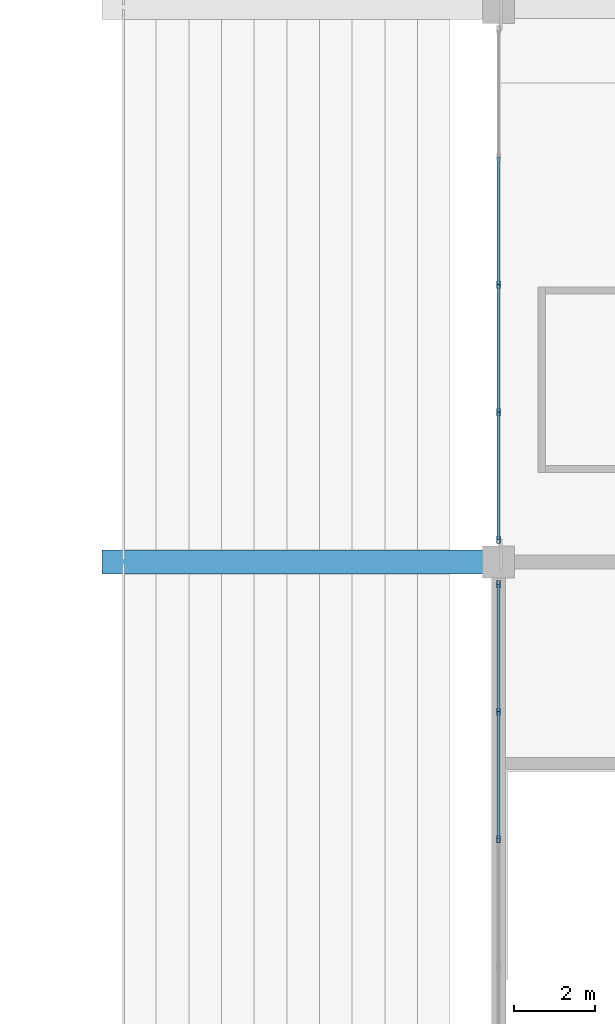
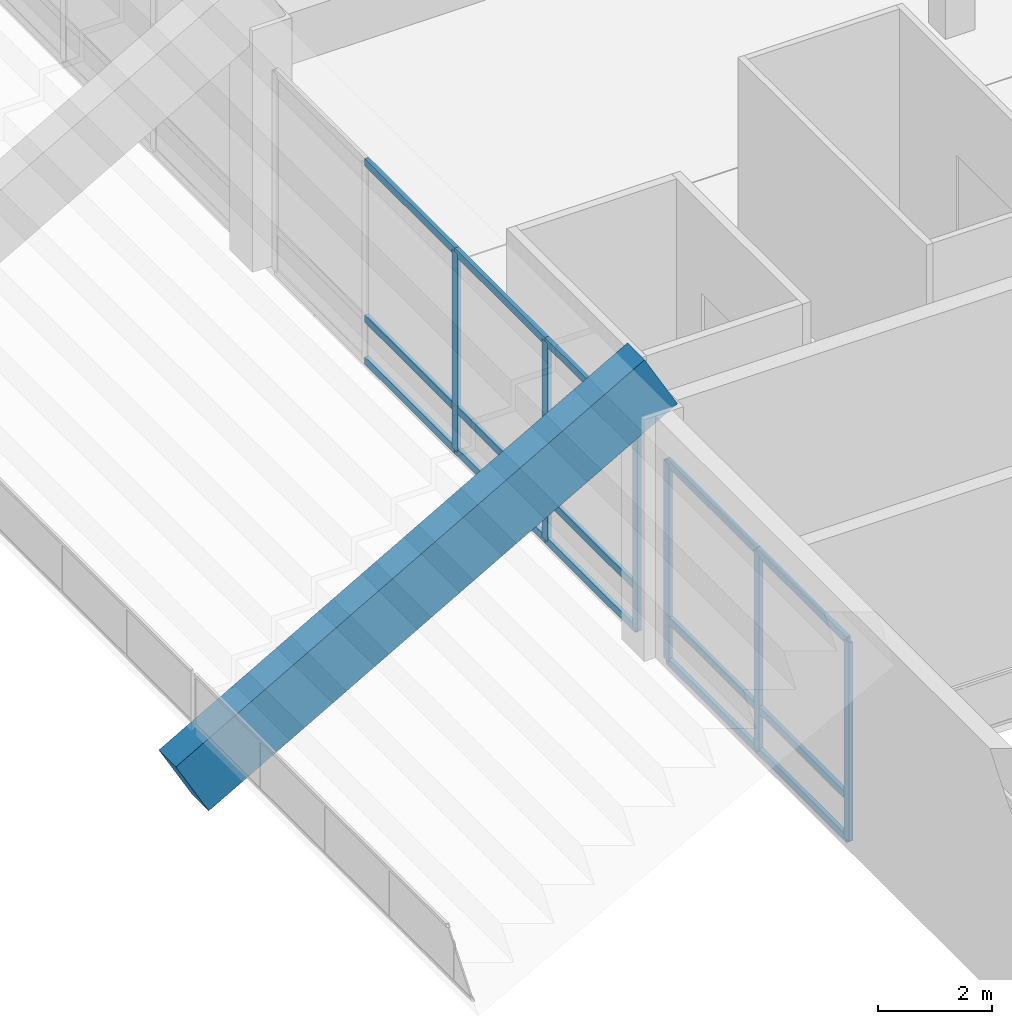
# One storey, part 35 of 90: 21 members, 1 beam, 2 elements without a shape of their own.
"""IFC4 building model written with IfcOpenShell, lengths in metres."""

from ifc_helpers import new_model, si_unit, direction, frame, origin, origin_2d, place, context, subcontext, project, spatial, rectangle, hollow_rectangle, extrude, material, material_profile, profile_set, type_object, element, aggregate, save


model = new_model("IFC4")

# Units and contexts
model_context = context("Model", 3, precision=1e-05, world=origin(), true_north=direction((0.0, 1.0)))
body_context = subcontext(model_context, "Body", "Model", "MODEL_VIEW")
ifc_project = project(units=[si_unit("LENGTHUNIT", "METRE"), si_unit("AREAUNIT", "SQUARE_METRE"), si_unit("VOLUMEUNIT", "CUBIC_METRE"), si_unit("PLANEANGLEUNIT", "RADIAN"), si_unit("MASSUNIT", "GRAM", prefix="KILO")], contexts=[model_context])

# Site, building, storey
site_placement = place(None, origin())
site = spatial("IfcSite", under=ifc_project, at=site_placement, CompositionType="ELEMENT")
building_placement = place(site_placement, origin())
building = spatial("IfcBuilding", under=site, at=building_placement, Name="Linyun Crest Stadium", CompositionType="ELEMENT")
storey_placement = place(building_placement, frame((0.0, 0.0, 21.0)))
storey = spatial("IfcBuildingStorey", under=building, at=storey_placement, Name="L05", CompositionType="ELEMENT", Elevation=21.0)

# Curtain wall, members
ifc_material_1 = material(Name="Verdigris steel and low-E curtain wall assembly", Category="steel")
curtain_wall_type = type_object("IfcCurtainWallType", Name="MCW01", PredefinedType="NOTDEFINED", material=ifc_material_1)
curtain_wall_1_placement = place(storey_placement, origin())
curtain_wall_1 = element("IfcCurtainWall", 1, at=curtain_wall_1_placement, inside=storey, type_object=curtain_wall_type, Name="CWR-081", PredefinedType="NOTDEFINED")
ifc_material_2 = material(Name="Verdigris painted steel Q355B mullion", Category="steel")
ifc_material_profile_1 = material_profile(ifc_material_2, hollow_rectangle(XDim=0.080078125, YDim=0.179931640625, WallThickness=0.006103515625, at=origin_2d()), Name="RHS 180x80x6")
ifc_profile_set_1 = profile_set([ifc_material_profile_1], Name="Verdigris painted steel Q355B mullion")
member_type_1 = type_object("IfcMemberType", Name="ML02", PredefinedType="MULLION", material=ifc_profile_set_1)
member_1_placement = place(storey_placement, frame((70.0, -32.25, 0.0), z_axis=(0.0, 0.0, 1.0), x_axis=(-1.0, 0.0, 0.0)))
member_1 = element("IfcMember", 2, at=member_1_placement, type_object=member_type_1, Name="CWR-081 mullion 3", PredefinedType="MULLION", context=body_context, shape_type="SweptSolid", body=[
    extrude(hollow_rectangle(XDim=0.080078125, YDim=0.179931640625, WallThickness=0.006103515625, at=origin_2d()), origin(), (0.0, 0.0, 1.0), 4.25),
])
member_2_placement = place(storey_placement, frame((70.0, -29.087890625, 0.0), z_axis=(0.0, 0.0, 1.0), x_axis=(-1.0, 0.0, 0.0)))
member_2 = element("IfcMember", 3, at=member_2_placement, type_object=member_type_1, Name="CWR-081 mullion 4", PredefinedType="MULLION", context=body_context, shape_type="SweptSolid", body=[
    extrude(hollow_rectangle(XDim=0.080078125, YDim=0.179931640625, WallThickness=0.006103515625, at=origin_2d()), origin(), (0.0, 0.0, 1.0), 4.25),
])
member_3_placement = place(storey_placement, frame((70.0, -25.925048828125, 0.0), z_axis=(0.0, 0.0, 1.0), x_axis=(-1.0, 0.0, 0.0)))
member_3 = element("IfcMember", 4, at=member_3_placement, type_object=member_type_1, Name="CWR-081 mullion 5", PredefinedType="MULLION", context=body_context, shape_type="SweptSolid", body=[
    extrude(hollow_rectangle(XDim=0.080078125, YDim=0.179931640625, WallThickness=0.006103515625, at=origin_2d()), origin(), (0.0, 0.0, 1.0), 4.25),
])

curtain_wall_2_placement = place(storey_placement, origin())
curtain_wall_2 = element("IfcCurtainWall", 5, at=curtain_wall_2_placement, inside=storey, type_object=curtain_wall_type, Name="CWR-090", PredefinedType="NOTDEFINED")
member_4_placement = place(storey_placement, frame((70.0, -24.824951171875, 0.0), z_axis=(0.0, 0.0, 1.0), x_axis=(-1.0, 0.0, 0.0)))
member_4 = element("IfcMember", 6, at=member_4_placement, type_object=member_type_1, Name="CWR-090 mullion 1", PredefinedType="MULLION", context=body_context, shape_type="SweptSolid", body=[
    extrude(hollow_rectangle(XDim=0.080078125, YDim=0.179931640625, WallThickness=0.006103515625, at=origin_2d()), origin(), (0.0, 0.0, 1.0), 4.25),
])
member_5_placement = place(storey_placement, frame((70.0, -21.662109375, 0.0), z_axis=(0.0, 0.0, 1.0), x_axis=(-1.0, 0.0, 0.0)))
member_5 = element("IfcMember", 7, at=member_5_placement, type_object=member_type_1, Name="CWR-090 mullion 2", PredefinedType="MULLION", context=body_context, shape_type="SweptSolid", body=[
    extrude(hollow_rectangle(XDim=0.080078125, YDim=0.179931640625, WallThickness=0.006103515625, at=origin_2d()), origin(), (0.0, 0.0, 1.0), 4.25),
])
member_6_placement = place(storey_placement, frame((70.0, -18.5, 0.0), z_axis=(0.0, 0.0, 1.0), x_axis=(-1.0, 0.0, 0.0)))
member_6 = element("IfcMember", 8, at=member_6_placement, type_object=member_type_1, Name="CWR-090 mullion 3", PredefinedType="MULLION", context=body_context, shape_type="SweptSolid", body=[
    extrude(hollow_rectangle(XDim=0.080078125, YDim=0.179931640625, WallThickness=0.006103515625, at=origin_2d()), origin(), (0.0, 0.0, 1.0), 4.25),
])

# Beam
ifc_material_3 = material(Name="Precast concrete C50", Category="concrete")
ifc_material_profile_2 = material_profile(ifc_material_3, rectangle(XDim=0.60009765625, YDim=1.35009765625, at=origin_2d()), Name="PCR 1350x600")
ifc_profile_set_2 = profile_set([ifc_material_profile_2], Name="Precast concrete C50")
beam_type = type_object("IfcBeamType", Name="RB03", PredefinedType="USERDEFINED", material=ifc_profile_set_2)
beam_placement = place(storey_placement, frame((60.5, -25.375, 0.39990234375), z_axis=(0.869361451527, 0.0, 0.494176756433), x_axis=(0.0, 1.0, 0.0)))
element("IfcBeam", 9, at=beam_placement, inside=storey, type_object=beam_type, Name="Precast raker beam RB03 V2 24", ObjectType="RAKER", PredefinedType="USERDEFINED", context=body_context, shape_type="SweptSolid", body=[
    extrude(rectangle(XDim=0.60009765625, YDim=1.35009765625, at=origin_2d()), origin(), (0.0, 0.0, 1.0), 10.927490234375),
])

# Member
ifc_material_4 = material(Name="Aluminium thermally broken transom", Category="aluminium")
ifc_material_profile_3 = material_profile(ifc_material_4, hollow_rectangle(XDim=0.080078125, YDim=0.159912109375, WallThickness=0.006103515625, at=origin_2d()), Name="RHS 160x80x6")
ifc_profile_set_3 = profile_set([ifc_material_profile_3], Name="Aluminium thermally broken transom")
member_type_2 = type_object("IfcMemberType", Name="TR01", PredefinedType="USERDEFINED", material=ifc_profile_set_3)
member_7_placement = place(storey_placement, frame((70.0, -32.25, 0.0), z_axis=(0.0, 1.0, 0.0), x_axis=(-1.0, 0.0, 0.0)))
member_7 = element("IfcMember", 10, at=member_7_placement, type_object=member_type_2, Name="CWR-081 transom 3.1", ObjectType="TRANSOM", PredefinedType="USERDEFINED", context=body_context, shape_type="SweptSolid", body=[
    extrude(hollow_rectangle(XDim=0.080078125, YDim=0.159912109375, WallThickness=0.006103515625, at=origin_2d()), origin(), (0.0, 0.0, 1.0), 3.162109375),
])

member_8_placement = place(storey_placement, frame((70.0, -32.25, 0.89990234375), z_axis=(0.0, 1.0, 0.0), x_axis=(-1.0, 0.0, 0.0)))
member_8 = element("IfcMember", 11, at=member_8_placement, type_object=member_type_2, Name="CWR-081 transom 3.2", ObjectType="TRANSOM", PredefinedType="USERDEFINED", context=body_context, shape_type="SweptSolid", body=[
    extrude(hollow_rectangle(XDim=0.080078125, YDim=0.159912109375, WallThickness=0.006103515625, at=origin_2d()), origin(), (0.0, 0.0, 1.0), 3.162109375),
])

member_9_placement = place(storey_placement, frame((70.0, -32.25, 4.25), z_axis=(0.0, 1.0, 0.0), x_axis=(-1.0, 0.0, 0.0)))
member_9 = element("IfcMember", 12, at=member_9_placement, type_object=member_type_2, Name="CWR-081 transom 3.3", ObjectType="TRANSOM", PredefinedType="USERDEFINED", context=body_context, shape_type="SweptSolid", body=[
    extrude(hollow_rectangle(XDim=0.080078125, YDim=0.159912109375, WallThickness=0.006103515625, at=origin_2d()), origin(), (0.0, 0.0, 1.0), 3.162109375),
])

member_10_placement = place(storey_placement, frame((70.0, -29.087890625, 0.0), z_axis=(0.0, 1.0, 0.0), x_axis=(-1.0, 0.0, 0.0)))
member_10 = element("IfcMember", 13, at=member_10_placement, type_object=member_type_2, Name="CWR-081 transom 4.1", ObjectType="TRANSOM", PredefinedType="USERDEFINED", context=body_context, shape_type="SweptSolid", body=[
    extrude(hollow_rectangle(XDim=0.080078125, YDim=0.159912109375, WallThickness=0.006103515625, at=origin_2d()), origin(), (0.0, 0.0, 1.0), 3.162841796875),
])

member_11_placement = place(storey_placement, frame((70.0, -29.087890625, 0.89990234375), z_axis=(0.0, 1.0, 0.0), x_axis=(-1.0, 0.0, 0.0)))
member_11 = element("IfcMember", 14, at=member_11_placement, type_object=member_type_2, Name="CWR-081 transom 4.2", ObjectType="TRANSOM", PredefinedType="USERDEFINED", context=body_context, shape_type="SweptSolid", body=[
    extrude(hollow_rectangle(XDim=0.080078125, YDim=0.159912109375, WallThickness=0.006103515625, at=origin_2d()), origin(), (0.0, 0.0, 1.0), 3.162841796875),
])

member_12_placement = place(storey_placement, frame((70.0, -29.087890625, 4.25), z_axis=(0.0, 1.0, 0.0), x_axis=(-1.0, 0.0, 0.0)))
member_12 = element("IfcMember", 15, at=member_12_placement, type_object=member_type_2, Name="CWR-081 transom 4.3", ObjectType="TRANSOM", PredefinedType="USERDEFINED", context=body_context, shape_type="SweptSolid", body=[
    extrude(hollow_rectangle(XDim=0.080078125, YDim=0.159912109375, WallThickness=0.006103515625, at=origin_2d()), origin(), (0.0, 0.0, 1.0), 3.162841796875),
])

aggregate(curtain_wall_1, [member_1, member_2, member_3, member_7, member_8, member_9, member_10, member_11, member_12])

member_13_placement = place(storey_placement, frame((70.0, -24.824951171875, 0.0), z_axis=(0.0, 1.0, 0.0), x_axis=(-1.0, 0.0, 0.0)))
member_13 = element("IfcMember", 16, at=member_13_placement, type_object=member_type_2, Name="CWR-090 transom 1.1", ObjectType="TRANSOM", PredefinedType="USERDEFINED", context=body_context, shape_type="SweptSolid", body=[
    extrude(hollow_rectangle(XDim=0.080078125, YDim=0.159912109375, WallThickness=0.006103515625, at=origin_2d()), origin(), (0.0, 0.0, 1.0), 3.162841796875),
])

member_14_placement = place(storey_placement, frame((70.0, -24.824951171875, 0.89990234375), z_axis=(0.0, 1.0, 0.0), x_axis=(-1.0, 0.0, 0.0)))
member_14 = element("IfcMember", 17, at=member_14_placement, type_object=member_type_2, Name="CWR-090 transom 1.2", ObjectType="TRANSOM", PredefinedType="USERDEFINED", context=body_context, shape_type="SweptSolid", body=[
    extrude(hollow_rectangle(XDim=0.080078125, YDim=0.159912109375, WallThickness=0.006103515625, at=origin_2d()), origin(), (0.0, 0.0, 1.0), 3.162841796875),
])

member_15_placement = place(storey_placement, frame((70.0, -24.824951171875, 4.25), z_axis=(0.0, 1.0, 0.0), x_axis=(-1.0, 0.0, 0.0)))
member_15 = element("IfcMember", 18, at=member_15_placement, type_object=member_type_2, Name="CWR-090 transom 1.3", ObjectType="TRANSOM", PredefinedType="USERDEFINED", context=body_context, shape_type="SweptSolid", body=[
    extrude(hollow_rectangle(XDim=0.080078125, YDim=0.159912109375, WallThickness=0.006103515625, at=origin_2d()), origin(), (0.0, 0.0, 1.0), 3.162841796875),
])

member_16_placement = place(storey_placement, frame((70.0, -21.662109375, 0.0), z_axis=(0.0, 1.0, 0.0), x_axis=(-1.0, 0.0, 0.0)))
member_16 = element("IfcMember", 19, at=member_16_placement, type_object=member_type_2, Name="CWR-090 transom 2.1", ObjectType="TRANSOM", PredefinedType="USERDEFINED", context=body_context, shape_type="SweptSolid", body=[
    extrude(hollow_rectangle(XDim=0.080078125, YDim=0.159912109375, WallThickness=0.006103515625, at=origin_2d()), origin(), (0.0, 0.0, 1.0), 3.162109375),
])

member_17_placement = place(storey_placement, frame((70.0, -21.662109375, 0.89990234375), z_axis=(0.0, 1.0, 0.0), x_axis=(-1.0, 0.0, 0.0)))
member_17 = element("IfcMember", 20, at=member_17_placement, type_object=member_type_2, Name="CWR-090 transom 2.2", ObjectType="TRANSOM", PredefinedType="USERDEFINED", context=body_context, shape_type="SweptSolid", body=[
    extrude(hollow_rectangle(XDim=0.080078125, YDim=0.159912109375, WallThickness=0.006103515625, at=origin_2d()), origin(), (0.0, 0.0, 1.0), 3.162109375),
])

member_18_placement = place(storey_placement, frame((70.0, -21.662109375, 4.25), z_axis=(0.0, 1.0, 0.0), x_axis=(-1.0, 0.0, 0.0)))
member_18 = element("IfcMember", 21, at=member_18_placement, type_object=member_type_2, Name="CWR-090 transom 2.3", ObjectType="TRANSOM", PredefinedType="USERDEFINED", context=body_context, shape_type="SweptSolid", body=[
    extrude(hollow_rectangle(XDim=0.080078125, YDim=0.159912109375, WallThickness=0.006103515625, at=origin_2d()), origin(), (0.0, 0.0, 1.0), 3.162109375),
])

member_19_placement = place(storey_placement, frame((70.0, -18.5, 0.0), z_axis=(0.0, 1.0, 0.0), x_axis=(-1.0, 0.0, 0.0)))
member_19 = element("IfcMember", 22, at=member_19_placement, type_object=member_type_2, Name="CWR-090 transom 3.1", ObjectType="TRANSOM", PredefinedType="USERDEFINED", context=body_context, shape_type="SweptSolid", body=[
    extrude(hollow_rectangle(XDim=0.080078125, YDim=0.159912109375, WallThickness=0.006103515625, at=origin_2d()), origin(), (0.0, 0.0, 1.0), 3.162109375),
])

member_20_placement = place(storey_placement, frame((70.0, -18.5, 0.89990234375), z_axis=(0.0, 1.0, 0.0), x_axis=(-1.0, 0.0, 0.0)))
member_20 = element("IfcMember", 23, at=member_20_placement, type_object=member_type_2, Name="CWR-090 transom 3.2", ObjectType="TRANSOM", PredefinedType="USERDEFINED", context=body_context, shape_type="SweptSolid", body=[
    extrude(hollow_rectangle(XDim=0.080078125, YDim=0.159912109375, WallThickness=0.006103515625, at=origin_2d()), origin(), (0.0, 0.0, 1.0), 3.162109375),
])

member_21_placement = place(storey_placement, frame((70.0, -18.5, 4.25), z_axis=(0.0, 1.0, 0.0), x_axis=(-1.0, 0.0, 0.0)))
member_21 = element("IfcMember", 24, at=member_21_placement, type_object=member_type_2, Name="CWR-090 transom 3.3", ObjectType="TRANSOM", PredefinedType="USERDEFINED", context=body_context, shape_type="SweptSolid", body=[
    extrude(hollow_rectangle(XDim=0.080078125, YDim=0.159912109375, WallThickness=0.006103515625, at=origin_2d()), origin(), (0.0, 0.0, 1.0), 3.162109375),
])

aggregate(curtain_wall_2, [member_4, member_5, member_6, member_13, member_14, member_15, member_16, member_17, member_18, member_19, member_20, member_21])

save(model, "model.ifc")
